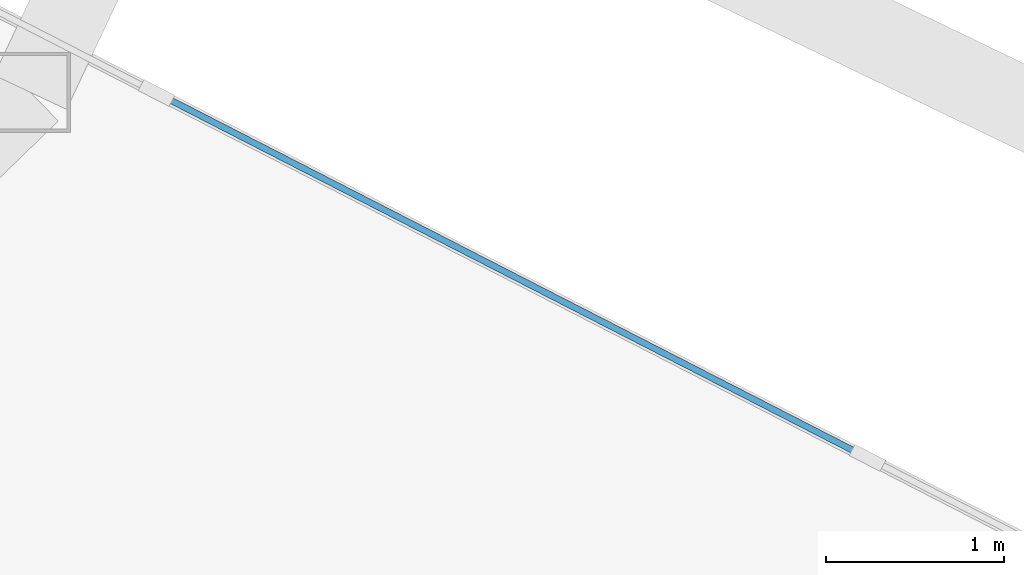
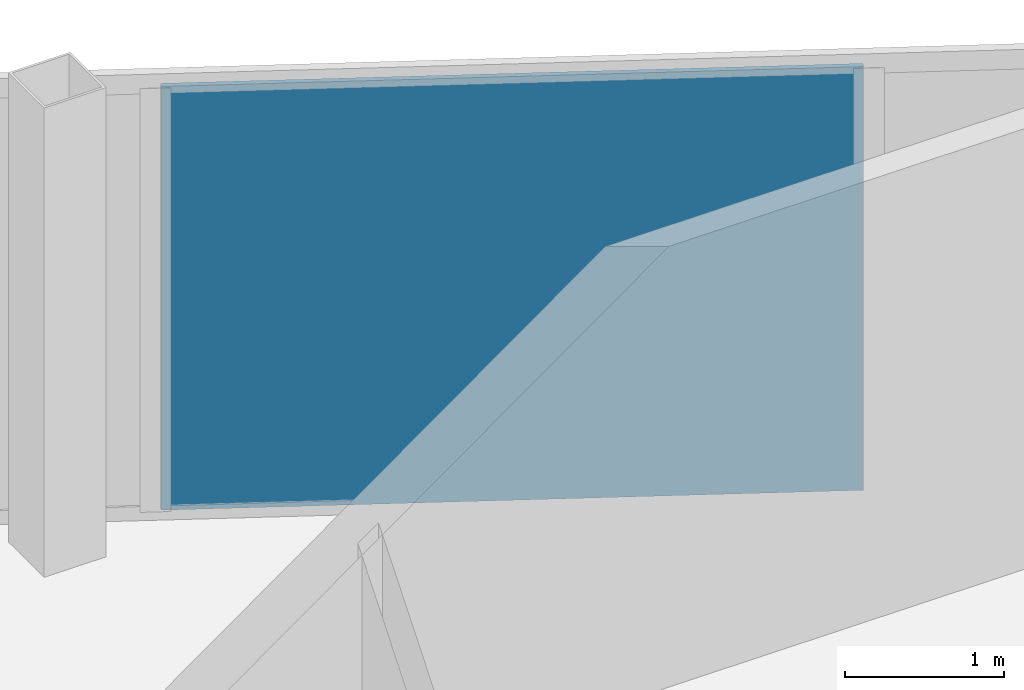
# One storey, part 18 of 28: 1 plate, 1 element without a shape of its own.
"""IFC4 building model written with IfcOpenShell, lengths in metres."""

from ifc_helpers import new_model, si_unit, direction, frame, origin, origin_2d, place, context, subcontext, project, spatial, rectangle, extrude, source, transform, mapped, material, layer, layer_set, type_object, type_shapes, element, aggregate, save


model = new_model("IFC4")

# Units and contexts
model_context = context("Model", 3, precision=1e-05, world=origin(), true_north=direction((0.0, 1.0)))
body_context = subcontext(model_context, "Body", "Model", "MODEL_VIEW")
ifc_project = project(units=[si_unit("LENGTHUNIT", "METRE"), si_unit("AREAUNIT", "SQUARE_METRE"), si_unit("VOLUMEUNIT", "CUBIC_METRE"), si_unit("PLANEANGLEUNIT", "RADIAN"), si_unit("MASSUNIT", "GRAM", prefix="KILO")], contexts=[model_context])

# Site, building, storey
site_placement = place(None, origin())
site = spatial("IfcSite", under=ifc_project, at=site_placement, CompositionType="ELEMENT")
building_placement = place(site_placement, origin())
building = spatial("IfcBuilding", under=site, at=building_placement, Name="Seokmaru Belvedere", CompositionType="ELEMENT")
storey_placement = place(building_placement, frame((0.0, 0.0, 110.39990234375)))
storey = spatial("IfcBuildingStorey", under=building, at=storey_placement, Name="L29", CompositionType="ELEMENT", Elevation=110.39990234375)

# Curtain wall, plate
ifc_material = material(Name="Bronze Triple Insulating Glass", Category="glass")
ifc_layer_1 = layer(ifc_material, 0.195068359375)
ifc_layer_set_1 = layer_set([ifc_layer_1], Name="Bronze Triple Insulating Glass")
curtain_wall_type = type_object("IfcCurtainWallType", Name="Sky-Lobby and Mid-Rise Curtain Wall System CW-4", PredefinedType="NOTDEFINED", material=ifc_layer_set_1)
curtain_wall_placement = place(storey_placement, origin())
curtain_wall = element("IfcCurtainWall", 1, at=curtain_wall_placement, inside=storey, type_object=curtain_wall_type, Name="L29 Curtain Wall EF3", PredefinedType="NOTDEFINED")
ifc_layer_2 = layer(ifc_material, 0.035888671875)
ifc_layer_set_2 = layer_set([ifc_layer_2], Name="Bronze Triple Insulating Glass")
plate_type = type_object("IfcPlateType", Name="Bronze Triple Vision Glazing Panel 36", PredefinedType="CURTAIN_PANEL", material=ifc_layer_set_2)
shared_shape = source(origin(), body_context, "Body", "SweptSolid", [
    extrude(rectangle(XDim=4.420166015625, YDim=0.035888671875, at=origin_2d()), origin(), (0.0, 0.0, 1.0), 3.25),
])
type_shapes(plate_type, [shared_shape])
plate_placement = place(storey_placement, frame((62.484619140625, 8.60009765625, 0.065185546875), z_axis=(0.0, 0.0, 1.0), x_axis=(-0.889695432562, 0.456554528263, 0.0)))
plate = element("IfcPlate", 2, at=plate_placement, type_object=plate_type, Name="CW:L29:EF3 Glazing Panel 2-1", PredefinedType="CURTAIN_PANEL", context=body_context, shape_type="MappedRepresentation", body=[
    mapped(shared_shape, transform((0.0, 0.0, 0.0), scale=1.0)),
])
aggregate(curtain_wall, [plate])

save(model, "model.ifc")
